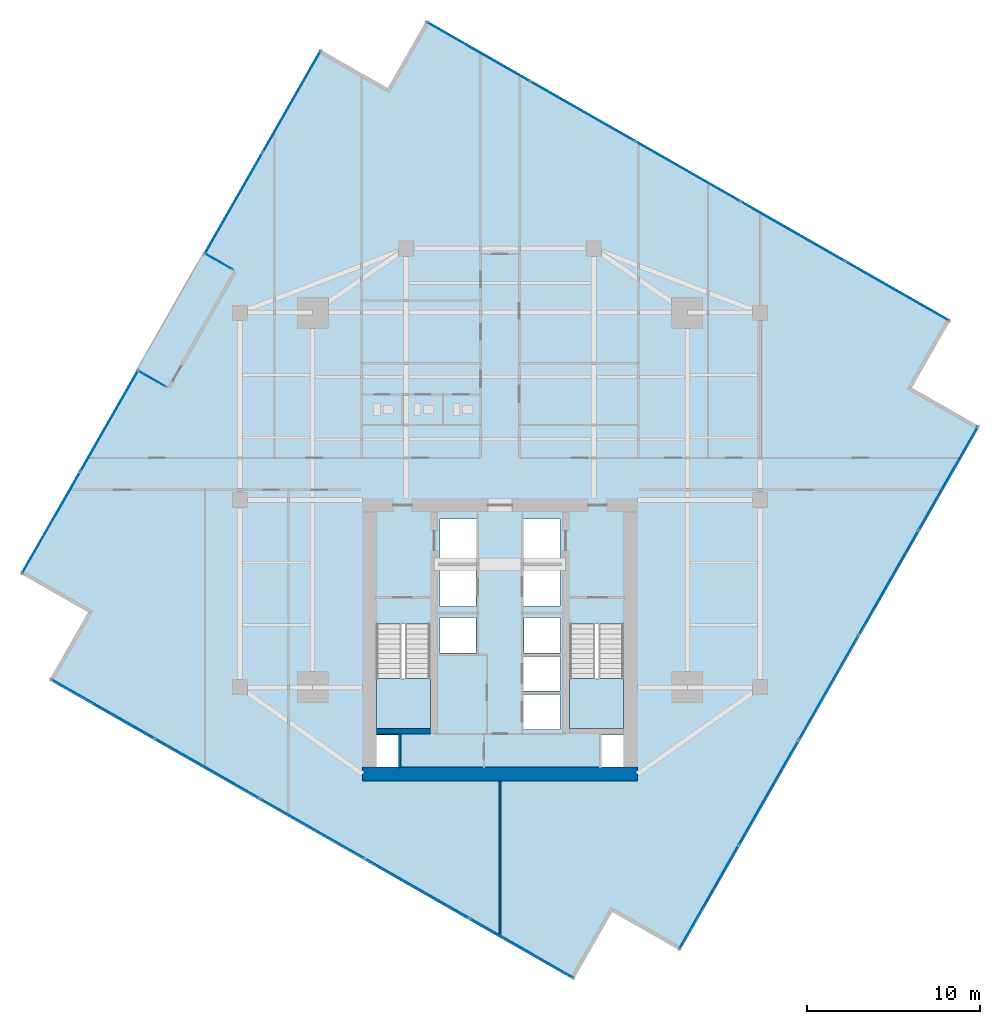
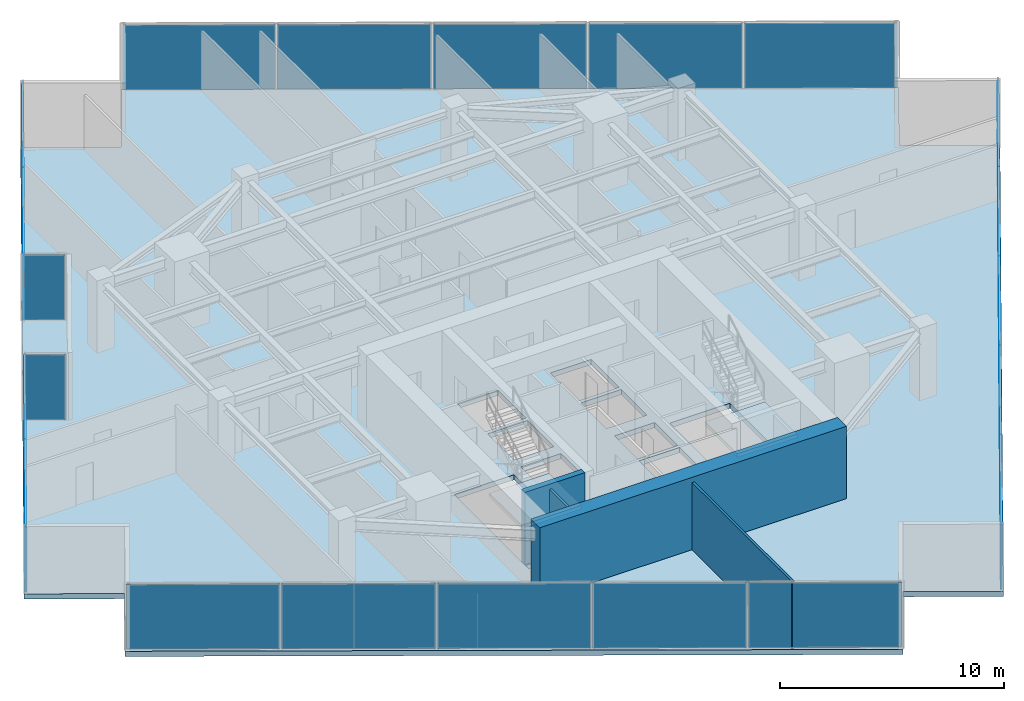
# One storey, part 19 of 24: 21 plates, 4 walls, 3 slabs, 9 elements without a shape of their own.
"""IFC4 building model written with IfcOpenShell, lengths in metres."""

from ifc_helpers import new_model, si_unit, direction, frame, frame_2d, origin, origin_2d, place, context, subcontext, project, spatial, polyline, rectangle, outline, extrude, source, transform, mapped, material, layer, layer_set, type_object, type_shapes, element, aggregate, save


model = new_model("IFC4")

# Units and contexts
model_context = context("Model", 3, precision=1e-05, world=origin(), true_north=direction((0.0, 1.0)))
body_context = subcontext(model_context, "Body", "Model", "MODEL_VIEW")
ifc_project = project(units=[si_unit("LENGTHUNIT", "METRE"), si_unit("AREAUNIT", "SQUARE_METRE"), si_unit("VOLUMEUNIT", "CUBIC_METRE"), si_unit("PLANEANGLEUNIT", "RADIAN"), si_unit("MASSUNIT", "GRAM", prefix="KILO")], contexts=[model_context])

# Site, building, storey
site_placement = place(None, origin())
site = spatial("IfcSite", under=ifc_project, at=site_placement, CompositionType="ELEMENT")
building_placement = place(site_placement, origin())
building = spatial("IfcBuilding", under=site, at=building_placement, Name="Krantzveldt Concourse Tower", CompositionType="ELEMENT")
storey_placement = place(building_placement, frame((0.0, 0.0, 165.949951171875)))
storey = spatial("IfcBuildingStorey", under=building, at=storey_placement, Name="L40", CompositionType="ELEMENT", Elevation=165.949951171875)

# Stair, slab
ifc_material_1 = material(Name="Precast concrete C40/50", Category="concrete")
stair_type = type_object("IfcStairType", Name="STR-CORE-DOGLEG", PredefinedType="HALF_TURN_STAIR", material=ifc_material_1)
stair_1_placement = place(storey_placement, origin())
stair_1 = element("IfcStair", 1, at=stair_1_placement, inside=storey, type_object=stair_type, Name="L40 Protected Escape Stair ST-1", PredefinedType="HALF_TURN_STAIR")
ifc_layer_1 = layer(ifc_material_1, 0.199951171875, Name="Precast concrete C40/50", Category="concrete")
ifc_layer_set_1 = layer_set([ifc_layer_1], Name="Precast concrete C40/50 (SL-LANDING-200)")
slab_type_1 = type_object("IfcSlabType", Name="SL-LANDING-200", PredefinedType="LANDING", material=ifc_layer_set_1)
slab_1_placement = place(storey_placement, frame((0.0, 0.0, 1.775146484375)))
slab_1 = element("IfcSlab", 2, at=slab_1_placement, type_object=slab_type_1, Name="ST-1 landing 1", PredefinedType="LANDING", context=body_context, shape_type="SweptSolid", body=[
    extrude(outline(polyline([(28.8798828125, 16.4150390625), (28.8798828125, 13.52001953125), (31.97998046875, 13.52001953125), (31.97998046875, 16.4150390625), (28.8798828125, 16.4150390625)])), origin(), (0.0, 0.0, 1.0), 0.199951171875),
])
aggregate(stair_1, [slab_1])

stair_2_placement = place(storey_placement, origin())
stair_2 = element("IfcStair", 3, at=stair_2_placement, inside=storey, type_object=stair_type, Name="L40 Protected Escape Stair ST-2", PredefinedType="HALF_TURN_STAIR")
slab_2_placement = place(storey_placement, frame((0.0, 0.0, 1.775146484375)))
slab_2 = element("IfcSlab", 4, at=slab_2_placement, type_object=slab_type_1, Name="ST-2 landing 1", PredefinedType="LANDING", context=body_context, shape_type="SweptSolid", body=[
    extrude(outline(polyline([(40.02001953125, 16.4150390625), (40.02001953125, 13.52001953125), (43.1201171875, 13.52001953125), (43.1201171875, 16.4150390625), (40.02001953125, 16.4150390625)])), origin(), (0.0, 0.0, 1.0), 0.199951171875),
])
aggregate(stair_2, [slab_2])

# Slab
ifc_material_2 = material(Name="Concrete C40/50", Category="concrete")
ifc_layer_2 = layer(ifc_material_2, 0.280029296875, Name="Concrete C40/50", Category="concrete")
ifc_layer_set_2 = layer_set([ifc_layer_2], Name="Concrete C40/50 (SL-SL-TER280)")
slab_type_2 = type_object("IfcSlabType", Name="SL-SL-TER280", PredefinedType="FLOOR", material=ifc_layer_set_2)
slab_3_placement = place(storey_placement, frame((0.0, 0.0, -0.280029296875)))
element("IfcSlab", 5, at=slab_3_placement, inside=storey, type_object=slab_type_2, Name="SL-L40-MAIN", PredefinedType="FLOOR", context=body_context, shape_type="SweptSolid", body=[
    extrude(outline(polyline([(29.527587890625, 50.44091796875), (25.62060546875, 52.673828125), (8.352294921875, 22.46044921875), (12.25927734375, 20.2275390625), (10.026123046875, 16.320556640625), (40.239501953125, -0.94775390625), (42.472412109375, 2.959228515625), (46.37939453125, 0.726318359375), (63.647705078125, 30.939453125), (59.74072265625, 33.172607421875), (61.973876953125, 37.079345703125), (31.760498046875, 54.34765625), (29.527587890625, 50.44091796875)]), holes=[polyline([(28.8798828125, 19.547607421875), (28.8798828125, 13.52001953125), (31.97998046875, 13.52001953125), (31.97998046875, 19.547607421875), (28.8798828125, 19.547607421875)]), polyline([(40.02001953125, 19.547607421875), (40.02001953125, 13.52001953125), (43.1201171875, 13.52001953125), (43.1201171875, 19.547607421875), (40.02001953125, 19.547607421875)]), polyline([(32.550048828125, 23.10009765625), (34.64990234375, 23.10009765625), (34.64990234375, 25.60009765625), (32.550048828125, 25.60009765625), (32.550048828125, 23.10009765625)]), polyline([(37.35009765625, 23.10009765625), (39.449951171875, 23.10009765625), (39.449951171875, 25.60009765625), (37.35009765625, 25.60009765625), (37.35009765625, 23.10009765625)]), polyline([(37.35009765625, 20.60009765625), (39.449951171875, 20.60009765625), (39.449951171875, 22.89990234375), (37.35009765625, 22.89990234375), (37.35009765625, 20.60009765625)]), polyline([(37.35009765625, 13.47998046875), (39.449951171875, 13.47998046875), (39.449951171875, 15.47998046875), (37.35009765625, 15.47998046875), (37.35009765625, 13.47998046875)]), polyline([(37.35009765625, 15.679931640625), (39.449951171875, 15.679931640625), (39.449951171875, 17.679931640625), (37.35009765625, 17.679931640625), (37.35009765625, 15.679931640625)]), polyline([(32.550048828125, 20.550048828125), (34.6201171875, 20.550048828125), (34.6201171875, 22.89990234375), (32.550048828125, 22.89990234375), (32.550048828125, 20.550048828125)]), polyline([(32.550048828125, 17.8798828125), (34.6201171875, 17.8798828125), (34.6201171875, 19.919921875), (32.550048828125, 19.919921875), (32.550048828125, 17.8798828125)]), polyline([(37.3798828125, 17.8798828125), (39.449951171875, 17.8798828125), (39.449951171875, 19.919921875), (37.3798828125, 19.919921875), (37.3798828125, 17.8798828125)]), polyline([(28.8798828125, 11.320068359375), (30.139892578125, 11.320068359375), (30.139892578125, 13.159912109375), (28.8798828125, 13.159912109375), (28.8798828125, 11.320068359375)]), polyline([(41.860107421875, 11.320068359375), (43.1201171875, 11.320068359375), (43.1201171875, 13.159912109375), (41.860107421875, 13.159912109375), (41.860107421875, 11.320068359375)])]), origin(), (0.0, 0.0, 1.0), 0.280029296875),
])

# Curtain wall, plate
ifc_material_3 = material(Name="Anodised aluminium 6063-T6", Category="aluminium")
curtain_wall_type_1 = type_object("IfcCurtainWallType", Name="CW6", PredefinedType="USERDEFINED", material=ifc_material_3)
curtain_wall_1_placement = place(storey_placement, origin())
curtain_wall_1 = element("IfcCurtainWall", 6, at=curtain_wall_1_placement, inside=storey, type_object=curtain_wall_type_1, Name="CW-L40-TR02", ObjectType="UNITISED CURTAIN WALL", PredefinedType="USERDEFINED")
ifc_material_4 = material(Name="Bronze-tinted laminated low-E IGU glass", Category="glass")
ifc_layer_3 = layer(ifc_material_4, 0.031982421875, Name="Bronze-tinted laminated low-E IGU glass", Category="glass")
ifc_layer_set_3 = layer_set([ifc_layer_3], Name="Bronze-tinted laminated low-E IGU glass (CW-GLZ-32)")
plate_type = type_object("IfcPlateType", Name="CW-GLZ-32", PredefinedType="CURTAIN_PANEL", material=ifc_layer_set_3)
shared_shape_1 = source(origin(), body_context, "Body", "SweptSolid", [
    extrude(rectangle(XDim=1.860107421875, YDim=0.031982421875, at=origin_2d()), origin(), (0.0, 0.0, 1.0), 3.530029296875),
])
plate_1_placement = place(storey_placement, frame((19.784912109375, 40.4482421875, 0.06982421875), z_axis=(0.0, 0.0, 1.0), x_axis=(0.86819760013, -0.496218628357, 0.0)))
plate_1 = element("IfcPlate", 7, at=plate_1_placement, type_object=plate_type, Name="CW-TERR panel 1.1", PredefinedType="CURTAIN_PANEL", context=body_context, shape_type="MappedRepresentation", body=[
    mapped(shared_shape_1, transform((0.0, 0.0, 0.0), x_axis=(1.0, 0.0, 0.0), y_axis=(0.0, 1.0, 0.0), z_axis=(0.0, 0.0, 1.0), scale=1.0)),
])
aggregate(curtain_wall_1, [plate_1])

curtain_wall_2_placement = place(storey_placement, origin())
curtain_wall_2 = element("IfcCurtainWall", 8, at=curtain_wall_2_placement, inside=storey, type_object=curtain_wall_type_1, Name="CW-L40-TR04", ObjectType="UNITISED CURTAIN WALL", PredefinedType="USERDEFINED")
plate_2_placement = place(storey_placement, frame((15.92431640625, 33.693603515625, 0.06982421875), z_axis=(0.0, 0.0, 1.0), x_axis=(-0.86819760013, 0.496218628357, 0.0)))
plate_2 = element("IfcPlate", 9, at=plate_2_placement, type_object=plate_type, Name="CW-TERR panel 1.1", PredefinedType="CURTAIN_PANEL", context=body_context, shape_type="MappedRepresentation", body=[
    mapped(shared_shape_1, transform((0.0, 0.0, 0.0), x_axis=(1.0, 0.0, 0.0), y_axis=(0.0, 1.0, 0.0), z_axis=(0.0, 0.0, 1.0), scale=1.0)),
])
aggregate(curtain_wall_2, [plate_2])

# Curtain wall, plates
curtain_wall_type_2 = type_object("IfcCurtainWallType", Name="CW3", PredefinedType="USERDEFINED", material=ifc_material_3)
curtain_wall_3_placement = place(storey_placement, origin())
curtain_wall_3 = element("IfcCurtainWall", 10, at=curtain_wall_3_placement, inside=storey, type_object=curtain_wall_type_2, Name="CW-L40-F08", ObjectType="UNITISED CURTAIN WALL", PredefinedType="USERDEFINED")
shared_shape_2 = source(origin(), body_context, "Body", "SweptSolid", [
    extrude(rectangle(XDim=6.85498046875, YDim=0.031982421875, at=origin_2d()), origin(), (0.0, 0.0, 1.0), 3.530029296875),
])
plate_3_placement = place(storey_placement, frame((13.107421875, 14.663330078125, 0.06982421875), z_axis=(0.0, 0.0, 1.0), x_axis=(0.868198876949, -0.496216394392, 0.0)))
plate_3 = element("IfcPlate", 11, at=plate_3_placement, type_object=plate_type, Name="CW-Z34 panel 1.1", PredefinedType="CURTAIN_PANEL", context=body_context, shape_type="MappedRepresentation", body=[
    mapped(shared_shape_2, transform((0.0, 0.0, 0.0), x_axis=(1.0, 0.0, 0.0), y_axis=(0.0, 1.0, 0.0), z_axis=(0.0, 0.0, 1.0), scale=1.0)),
])
plate_4_placement = place(storey_placement, frame((37.24755859375, 0.865966796875, 0.06982421875), z_axis=(0.0, 0.0, 1.0), x_axis=(0.868198876949, -0.496216394392, 0.0)))
plate_4 = element("IfcPlate", 12, at=plate_4_placement, type_object=plate_type, Name="CW-Z34 panel 5.1", PredefinedType="CURTAIN_PANEL", context=body_context, shape_type="MappedRepresentation", body=[
    mapped(shared_shape_2, transform((0.0, 0.0, 0.0), x_axis=(1.0, 0.0, 0.0), y_axis=(0.0, 1.0, 0.0), z_axis=(0.0, 0.0, 1.0), scale=1.0)),
])

curtain_wall_4_placement = place(storey_placement, origin())
curtain_wall_4 = element("IfcCurtainWall", 13, at=curtain_wall_4_placement, inside=storey, type_object=curtain_wall_type_2, Name="CW-L40-F11", ObjectType="UNITISED CURTAIN WALL", PredefinedType="USERDEFINED")
plate_5_placement = place(storey_placement, frame((48.036865234375, 3.807373046875, 0.06982421875), z_axis=(0.0, 0.0, 1.0), x_axis=(0.496216394392, 0.868198876949, 0.0)))
plate_5 = element("IfcPlate", 14, at=plate_5_placement, type_object=plate_type, Name="CW-Z34 panel 1.1", PredefinedType="CURTAIN_PANEL", context=body_context, shape_type="MappedRepresentation", body=[
    mapped(shared_shape_2, transform((0.0, 0.0, 0.0), x_axis=(1.0, 0.0, 0.0), y_axis=(0.0, 1.0, 0.0), z_axis=(0.0, 0.0, 1.0), scale=1.0)),
])
plate_6_placement = place(storey_placement, frame((61.833984375, 27.94775390625, 0.06982421875), z_axis=(0.0, 0.0, 1.0), x_axis=(0.496216394392, 0.868198876949, 0.0)))
plate_6 = element("IfcPlate", 15, at=plate_6_placement, type_object=plate_type, Name="CW-Z34 panel 5.1", PredefinedType="CURTAIN_PANEL", context=body_context, shape_type="MappedRepresentation", body=[
    mapped(shared_shape_2, transform((0.0, 0.0, 0.0), x_axis=(1.0, 0.0, 0.0), y_axis=(0.0, 1.0, 0.0), z_axis=(0.0, 0.0, 1.0), scale=1.0)),
])

curtain_wall_5_placement = place(storey_placement, origin())
curtain_wall_5 = element("IfcCurtainWall", 16, at=curtain_wall_5_placement, inside=storey, type_object=curtain_wall_type_2, Name="CW-L40-F14", ObjectType="UNITISED CURTAIN WALL", PredefinedType="USERDEFINED")
plate_7_placement = place(storey_placement, frame((58.892578125, 38.73681640625, 0.06982421875), z_axis=(0.0, 0.0, 1.0), x_axis=(-0.868198876949, 0.496216394392, 0.0)))
plate_7 = element("IfcPlate", 17, at=plate_7_placement, type_object=plate_type, Name="CW-Z34 panel 1.1", PredefinedType="CURTAIN_PANEL", context=body_context, shape_type="MappedRepresentation", body=[
    mapped(shared_shape_2, transform((0.0, 0.0, 0.0), x_axis=(1.0, 0.0, 0.0), y_axis=(0.0, 1.0, 0.0), z_axis=(0.0, 0.0, 1.0), scale=1.0)),
])
plate_8_placement = place(storey_placement, frame((34.75244140625, 52.5341796875, 0.06982421875), z_axis=(0.0, 0.0, 1.0), x_axis=(-0.868198876949, 0.496216394392, 0.0)))
plate_8 = element("IfcPlate", 18, at=plate_8_placement, type_object=plate_type, Name="CW-Z34 panel 5.1", PredefinedType="CURTAIN_PANEL", context=body_context, shape_type="MappedRepresentation", body=[
    mapped(shared_shape_2, transform((0.0, 0.0, 0.0), x_axis=(1.0, 0.0, 0.0), y_axis=(0.0, 1.0, 0.0), z_axis=(0.0, 0.0, 1.0), scale=1.0)),
])

# Plate
shared_shape_3 = source(origin(), body_context, "Body", "SweptSolid", [
    extrude(rectangle(XDim=6.889892578125, YDim=0.031982421875, at=origin_2d()), origin(), (0.0, 0.0, 1.0), 3.530029296875),
])
plate_9_placement = place(storey_placement, frame((19.134765625, 11.21826171875, 0.06982421875), z_axis=(0.0, 0.0, 1.0), x_axis=(0.868198876949, -0.496216394392, 0.0)))
plate_9 = element("IfcPlate", 19, at=plate_9_placement, type_object=plate_type, Name="CW-Z34 panel 2.1", PredefinedType="CURTAIN_PANEL", context=body_context, shape_type="MappedRepresentation", body=[
    mapped(shared_shape_3, transform((0.0, 0.0, 0.0), x_axis=(1.0, 0.0, 0.0), y_axis=(0.0, 1.0, 0.0), z_axis=(0.0, 0.0, 1.0), scale=1.0)),
])

plate_10_placement = place(storey_placement, frame((25.177490234375, 7.7646484375, 0.06982421875), z_axis=(0.0, 0.0, 1.0), x_axis=(0.868198876949, -0.496216394392, 0.0)))
plate_10 = element("IfcPlate", 20, at=plate_10_placement, type_object=plate_type, Name="CW-Z34 panel 3.1", PredefinedType="CURTAIN_PANEL", context=body_context, shape_type="MappedRepresentation", body=[
    mapped(shared_shape_3, transform((0.0, 0.0, 0.0), x_axis=(1.0, 0.0, 0.0), y_axis=(0.0, 1.0, 0.0), z_axis=(0.0, 0.0, 1.0), scale=1.0)),
])

plate_11_placement = place(storey_placement, frame((31.22021484375, 4.31103515625, 0.06982421875), z_axis=(0.0, 0.0, 1.0), x_axis=(0.868198876949, -0.496216394392, 0.0)))
plate_11 = element("IfcPlate", 21, at=plate_11_placement, type_object=plate_type, Name="CW-Z34 panel 4.1", PredefinedType="CURTAIN_PANEL", context=body_context, shape_type="MappedRepresentation", body=[
    mapped(shared_shape_3, transform((0.0, 0.0, 0.0), x_axis=(1.0, 0.0, 0.0), y_axis=(0.0, 1.0, 0.0), z_axis=(0.0, 0.0, 1.0), scale=1.0)),
])

aggregate(curtain_wall_3, [plate_3, plate_9, plate_10, plate_11, plate_4])

plate_12_placement = place(storey_placement, frame((51.481689453125, 9.8349609375, 0.06982421875), z_axis=(0.0, 0.0, 1.0), x_axis=(0.496216394392, 0.868198876949, 0.0)))
plate_12 = element("IfcPlate", 22, at=plate_12_placement, type_object=plate_type, Name="CW-Z34 panel 2.1", PredefinedType="CURTAIN_PANEL", context=body_context, shape_type="MappedRepresentation", body=[
    mapped(shared_shape_3, transform((0.0, 0.0, 0.0), x_axis=(1.0, 0.0, 0.0), y_axis=(0.0, 1.0, 0.0), z_axis=(0.0, 0.0, 1.0), scale=1.0)),
])

plate_13_placement = place(storey_placement, frame((54.935302734375, 15.87744140625, 0.06982421875), z_axis=(0.0, 0.0, 1.0), x_axis=(0.496216394392, 0.868198876949, 0.0)))
plate_13 = element("IfcPlate", 23, at=plate_13_placement, type_object=plate_type, Name="CW-Z34 panel 3.1", PredefinedType="CURTAIN_PANEL", context=body_context, shape_type="MappedRepresentation", body=[
    mapped(shared_shape_3, transform((0.0, 0.0, 0.0), x_axis=(1.0, 0.0, 0.0), y_axis=(0.0, 1.0, 0.0), z_axis=(0.0, 0.0, 1.0), scale=1.0)),
])

plate_14_placement = place(storey_placement, frame((58.38916015625, 21.920166015625, 0.06982421875), z_axis=(0.0, 0.0, 1.0), x_axis=(0.496216394392, 0.868198876949, 0.0)))
plate_14 = element("IfcPlate", 24, at=plate_14_placement, type_object=plate_type, Name="CW-Z34 panel 4.1", PredefinedType="CURTAIN_PANEL", context=body_context, shape_type="MappedRepresentation", body=[
    mapped(shared_shape_3, transform((0.0, 0.0, 0.0), x_axis=(1.0, 0.0, 0.0), y_axis=(0.0, 1.0, 0.0), z_axis=(0.0, 0.0, 1.0), scale=1.0)),
])

aggregate(curtain_wall_4, [plate_5, plate_12, plate_13, plate_14, plate_6])

plate_15_placement = place(storey_placement, frame((52.865234375, 42.181640625, 0.06982421875), z_axis=(0.0, 0.0, 1.0), x_axis=(-0.868198876949, 0.496216394392, 0.0)))
plate_15 = element("IfcPlate", 25, at=plate_15_placement, type_object=plate_type, Name="CW-Z34 panel 2.1", PredefinedType="CURTAIN_PANEL", context=body_context, shape_type="MappedRepresentation", body=[
    mapped(shared_shape_3, transform((0.0, 0.0, 0.0), x_axis=(1.0, 0.0, 0.0), y_axis=(0.0, 1.0, 0.0), z_axis=(0.0, 0.0, 1.0), scale=1.0)),
])

plate_16_placement = place(storey_placement, frame((46.822509765625, 45.635498046875, 0.06982421875), z_axis=(0.0, 0.0, 1.0), x_axis=(-0.868198876949, 0.496216394392, 0.0)))
plate_16 = element("IfcPlate", 26, at=plate_16_placement, type_object=plate_type, Name="CW-Z34 panel 3.1", PredefinedType="CURTAIN_PANEL", context=body_context, shape_type="MappedRepresentation", body=[
    mapped(shared_shape_3, transform((0.0, 0.0, 0.0), x_axis=(1.0, 0.0, 0.0), y_axis=(0.0, 1.0, 0.0), z_axis=(0.0, 0.0, 1.0), scale=1.0)),
])

plate_17_placement = place(storey_placement, frame((40.77978515625, 49.089111328125, 0.06982421875), z_axis=(0.0, 0.0, 1.0), x_axis=(-0.868198876949, 0.496216394392, 0.0)))
plate_17 = element("IfcPlate", 27, at=plate_17_placement, type_object=plate_type, Name="CW-Z34 panel 4.1", PredefinedType="CURTAIN_PANEL", context=body_context, shape_type="MappedRepresentation", body=[
    mapped(shared_shape_3, transform((0.0, 0.0, 0.0), x_axis=(1.0, 0.0, 0.0), y_axis=(0.0, 1.0, 0.0), z_axis=(0.0, 0.0, 1.0), scale=1.0)),
])

aggregate(curtain_wall_5, [plate_7, plate_15, plate_16, plate_17, plate_8])

# Curtain wall, plates
curtain_wall_6_placement = place(storey_placement, origin())
curtain_wall_6 = element("IfcCurtainWall", 28, at=curtain_wall_6_placement, inside=storey, type_object=curtain_wall_type_2, Name="CW-L40-F01", ObjectType="UNITISED CURTAIN WALL", PredefinedType="USERDEFINED")
shared_shape_4 = source(origin(), body_context, "Body", "SweptSolid", [
    extrude(rectangle(XDim=6.695068359375, YDim=0.031982421875, at=origin_2d()), origin(), (0.0, 0.0, 1.0), 3.530029296875),
])
type_shapes(plate_type, [shared_shape_1, shared_shape_2, shared_shape_3, shared_shape_4])
plate_18_placement = place(storey_placement, frame((24.0029296875, 49.662109375, 0.06982421875), z_axis=(0.0, 0.0, 1.0), x_axis=(-0.496216379861, -0.868198885255, 0.0)))
plate_18 = element("IfcPlate", 29, at=plate_18_placement, type_object=plate_type, Name="CW-Z34 panel 1.1", PredefinedType="CURTAIN_PANEL", context=body_context, shape_type="MappedRepresentation", body=[
    mapped(shared_shape_4, transform((0.0, 0.0, 0.0), x_axis=(1.0, 0.0, 0.0), y_axis=(0.0, 1.0, 0.0), z_axis=(0.0, 0.0, 1.0), scale=1.0)),
])
plate_19_placement = place(storey_placement, frame((20.64599609375, 43.788818359375, 0.06982421875), z_axis=(0.0, 0.0, 1.0), x_axis=(-0.496216379861, -0.868198885255, 0.0)))
plate_19 = element("IfcPlate", 30, at=plate_19_placement, type_object=plate_type, Name="CW-Z34 panel 2.1", PredefinedType="CURTAIN_PANEL", context=body_context, shape_type="MappedRepresentation", body=[
    mapped(shared_shape_4, transform((0.0, 0.0, 0.0), x_axis=(1.0, 0.0, 0.0), y_axis=(0.0, 1.0, 0.0), z_axis=(0.0, 0.0, 1.0), scale=1.0)),
])
aggregate(curtain_wall_6, [plate_18, plate_19])

curtain_wall_7_placement = place(storey_placement, origin())
curtain_wall_7 = element("IfcCurtainWall", 31, at=curtain_wall_7_placement, inside=storey, type_object=curtain_wall_type_2, Name="CW-L40-F05", ObjectType="UNITISED CURTAIN WALL", PredefinedType="USERDEFINED")
plate_20_placement = place(storey_placement, frame((13.483154296875, 31.25634765625, 0.06982421875), z_axis=(0.0, 0.0, 1.0), x_axis=(-0.496216063073, -0.868199066314, 0.0)))
plate_20 = element("IfcPlate", 32, at=plate_20_placement, type_object=plate_type, Name="CW-Z34 panel 1.1", PredefinedType="CURTAIN_PANEL", context=body_context, shape_type="MappedRepresentation", body=[
    mapped(shared_shape_4, transform((0.0, 0.0, 0.0), x_axis=(1.0, 0.0, 0.0), y_axis=(0.0, 1.0, 0.0), z_axis=(0.0, 0.0, 1.0), scale=1.0)),
])
plate_21_placement = place(storey_placement, frame((10.126220703125, 25.3828125, 0.06982421875), z_axis=(0.0, 0.0, 1.0), x_axis=(-0.496216063073, -0.868199066314, 0.0)))
plate_21 = element("IfcPlate", 33, at=plate_21_placement, type_object=plate_type, Name="CW-Z34 panel 2.1", PredefinedType="CURTAIN_PANEL", context=body_context, shape_type="MappedRepresentation", body=[
    mapped(shared_shape_4, transform((0.0, 0.0, 0.0), x_axis=(1.0, 0.0, 0.0), y_axis=(0.0, 1.0, 0.0), z_axis=(0.0, 0.0, 1.0), scale=1.0)),
])
aggregate(curtain_wall_7, [plate_20, plate_21])

# Walls
ifc_material_5 = material(Name="Fire-rated gypsum plasterboard on steel stud", Category="steel")
ifc_layer_4 = layer(ifc_material_5, 0.1201171875, Name="Fire-rated gypsum plasterboard on steel stud", Category="steel")
ifc_layer_set_4 = layer_set([ifc_layer_4], Name="Fire-rated gypsum plasterboard on steel stud (WL-PART-120)")
wall_type_1 = type_object("IfcWallType", Name="WL-PART-120", PredefinedType="PARTITIONING", material=ifc_layer_set_4)
wall_1_placement = place(storey_placement, frame((36.0, 1.5791015625, 0.0), z_axis=(0.0, 0.0, 1.0), x_axis=(0.0, 1.0, 0.0)))
element("IfcWall", 34, at=wall_1_placement, inside=storey, type_object=wall_type_1, Name="WP-L40-SMID", PredefinedType="PARTITIONING", context=body_context, shape_type="SweptSolid", body=[
    extrude(rectangle(XDim=8.9208984375, YDim=0.1201171875, at=frame_2d((4.46044921875, 0.0))), origin(), (0.0, 0.0, 1.0), 3.670166015625),
])
ifc_layer_5 = layer(ifc_material_5, 0.139892578125, Name="Fire-rated gypsum plasterboard on steel stud", Category="steel")
ifc_layer_set_5 = layer_set([ifc_layer_5], Name="Fire-rated gypsum plasterboard on steel stud (WL-PART-FR140)")
wall_type_2 = type_object("IfcWallType", Name="WL-PART-FR140", PredefinedType="PARTITIONING", material=ifc_layer_set_5)
wall_2_placement = place(storey_placement, frame((30.219970703125, 11.25, 0.0), z_axis=(0.0, 0.0, 1.0), x_axis=(0.0, 1.0, 0.0)))
element("IfcWall", 35, at=wall_2_placement, inside=storey, type_object=wall_type_2, Name="WP-L40-RSW", PredefinedType="PARTITIONING", context=body_context, shape_type="SweptSolid", body=[
    extrude(rectangle(XDim=1.969970703125, YDim=0.1201171875, at=frame_2d((0.98486328125, 0.0))), origin(), (0.0, 0.0, 1.0), 3.670166015625),
])
ifc_material_6 = material(Name="Concrete C50/60", Category="concrete")
ifc_layer_6 = layer(ifc_material_6, 0.300048828125, Name="Concrete C50/60", Category="concrete")
ifc_layer_set_6 = layer_set([ifc_layer_6], Name="Concrete C50/60 (WL-SHEAR-300)")
wall_type_3 = type_object("IfcWallType", Name="WL-SHEAR-300", PredefinedType="SHEAR", material=ifc_layer_set_6)
wall_3_placement = place(storey_placement, frame((28.8798828125, 13.3701171875, 0.0), z_axis=(0.0, 0.0, 1.0), x_axis=(1.0, 0.0, 0.0)))
element("IfcWall", 36, at=wall_3_placement, inside=storey, type_object=wall_type_3, Name="CW-L40-ST1S", PredefinedType="SHEAR", context=body_context, shape_type="SweptSolid", body=[
    extrude(rectangle(XDim=3.10009765625, YDim=0.300048828125, at=frame_2d((1.550048828125, 0.0))), origin(), (0.0, 0.0, 1.0), 3.949951171875),
])
ifc_material_7 = material(Name="Concrete C60/75", Category="concrete")
ifc_layer_7 = layer(ifc_material_7, 0.800048828125, Name="Concrete C60/75", Category="concrete")
ifc_layer_set_7 = layer_set([ifc_layer_7], Name="Concrete C60/75 (WL-SHEAR-800)")
wall_type_4 = type_object("IfcWallType", Name="WL-SHEAR-800", PredefinedType="SHEAR", material=ifc_layer_set_7)
wall_4_placement = place(storey_placement, frame((28.080078125, 10.89990234375, 0.0), z_axis=(0.0, 0.0, 1.0), x_axis=(1.0, 0.0, 0.0)))
element("IfcWall", 37, at=wall_4_placement, inside=storey, type_object=wall_type_4, Name="CW-L40-S", PredefinedType="SHEAR", context=body_context, shape_type="SweptSolid", body=[
    extrude(rectangle(XDim=15.83984375, YDim=0.800048828125, at=frame_2d((7.919921875, 0.0))), origin(), (0.0, 0.0, 1.0), 3.949951171875),
])

save(model, "model.ifc")
